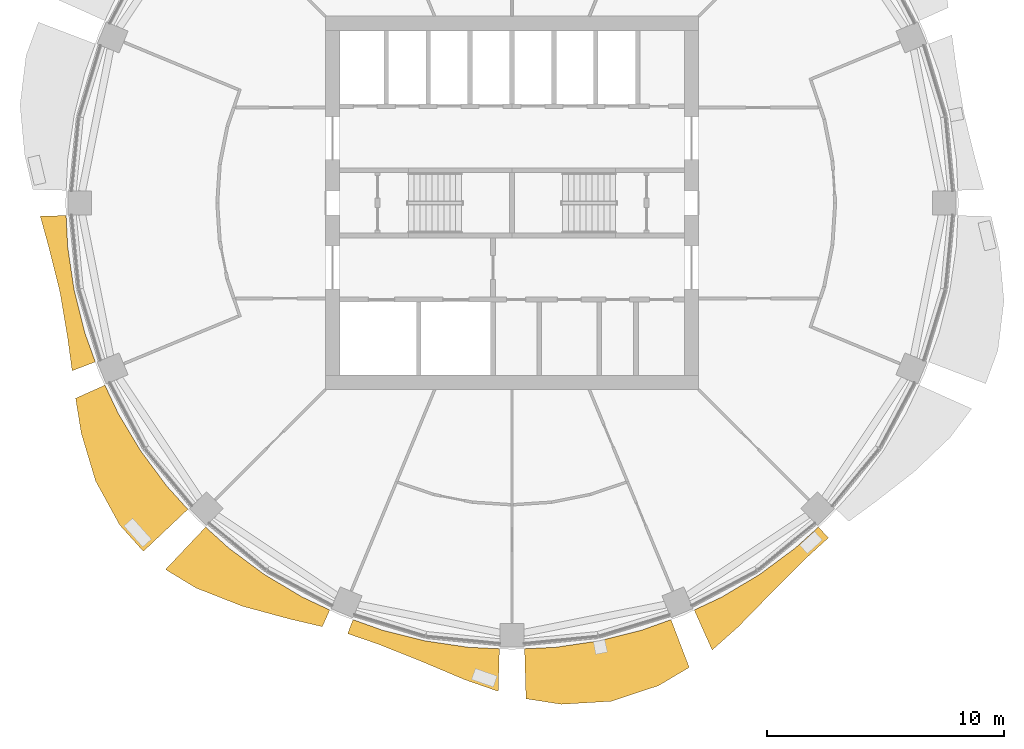
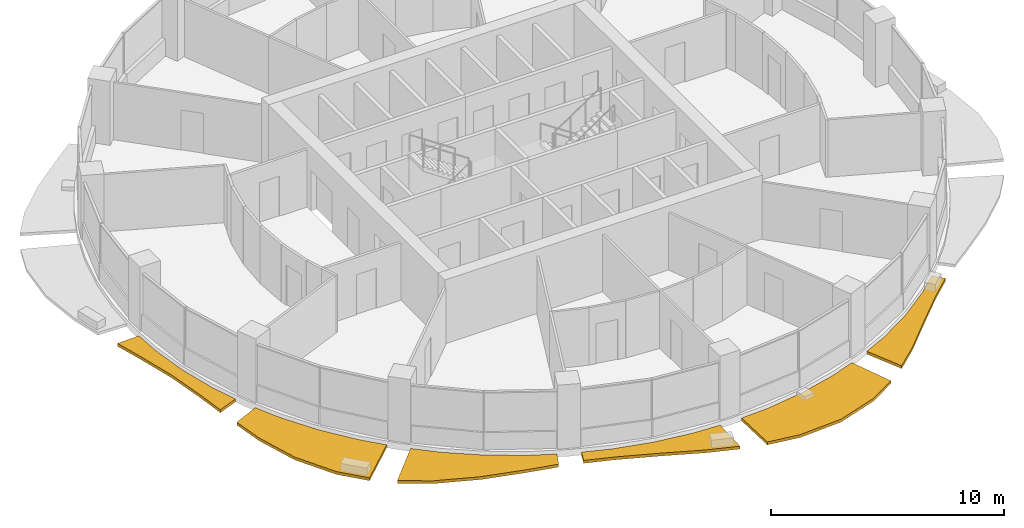
# One storey, part 12 of 15: 6 shading devices.
"""IFC4 building model written with IfcOpenShell, lengths in metres."""

import ifcopenshell
import ifcopenshell.guid

model = None  # the IFC model being written
_history = None  # IfcOwnerHistory: only IFC2X3 demands one
_inside = {}  # id of a spatial element -> (the spatial element, [elements in it])
_under = {}  # id of a project, library or spatial element -> (it, [spatial elements below it])
_declared = {}  # id of a project -> (the project, [libraries it declares])
_typed = {}  # id of a type object -> (the type object, [elements of that type])
_made_of = {}  # id of a material, layer set ... -> (it, [elements and type objects made of it])


def new_model(schema):
    """Start an empty IFC model of exactly this schema.

    Asked for "IFC4X3", IfcOpenShell would pick the latest addendum, in which some entities
    have other attributes; the version numbers below select the first issue.
    IFC2X3 requires an IfcOwnerHistory on every rooted entity: one is made here for all.
    """
    global model, _history
    if schema == "IFC4X3":
        model = ifcopenshell.file(schema_version=(4, 3, 0, 0))
    else:
        model = ifcopenshell.file(schema=schema)
    _inside.clear()
    _under.clear()
    _declared.clear()
    _typed.clear()
    _made_of.clear()
    _history = None
    if model.schema == "IFC2X3":
        org = make("IfcOrganization", Name="unknown")
        user = make(
            "IfcPersonAndOrganization",
            ThePerson=make("IfcPerson", FamilyName="unknown"),
            TheOrganization=org,
        )
        app = make(
            "IfcApplication",
            ApplicationDeveloper=org,
            Version="unknown",
            ApplicationFullName="unknown",
            ApplicationIdentifier="unknown",
        )
        _history = make(
            "IfcOwnerHistory",
            OwningUser=user,
            OwningApplication=app,
            ChangeAction="ADDED",
            CreationDate=0,
        )
    return model


def make(cls, **values):
    """One entity of the class cls with the attributes given. An attribute that is None is left unset."""
    return model.create_entity(
        cls, **{name: value for name, value in values.items() if value is not None}
    )


def rooted(cls, **values):
    """An entity with a GlobalId (a new one), such as an element, a storey or a relation."""
    return make(cls, GlobalId=ifcopenshell.guid.new(), OwnerHistory=_history, **values)


def si_unit(unit_type, name, prefix=None):
    """IfcSIUnit, for example si_unit("LENGTHUNIT", "METRE", prefix="MILLI")."""
    return make("IfcSIUnit", UnitType=unit_type, Prefix=prefix, Name=name)


def assignment(units):
    """IfcUnitAssignment: the units of a project."""
    return None if units is None else make("IfcUnitAssignment", Units=units)


def point(xyz):
    """IfcCartesianPoint."""
    return None if xyz is None else make("IfcCartesianPoint", Coordinates=xyz)


def direction(xyz):
    """IfcDirection."""
    return None if xyz is None else make("IfcDirection", DirectionRatios=xyz)


def frame(location, z_axis=None, x_axis=None):
    """IfcAxis2Placement3D, a coordinate frame: its origin and axes. An axis left out is left unset."""
    return make(
        "IfcAxis2Placement3D",
        Location=point(location),
        Axis=direction(z_axis),
        RefDirection=direction(x_axis),
    )


def origin():
    """The frame at (0, 0, 0) with its axes left unset."""
    return frame((0.0, 0.0, 0.0))


def place(relative_to, where):
    """IfcLocalPlacement: puts the frame where relative to a parent placement (None: the world)."""
    return make(
        "IfcLocalPlacement", PlacementRelTo=relative_to, RelativePlacement=where
    )


def context(
    kind, dimensions, precision=None, world=None, true_north=None, identifier=None
):
    """IfcGeometricRepresentationContext, for example the 3D "Model" context."""
    return make(
        "IfcGeometricRepresentationContext",
        ContextIdentifier=identifier,
        ContextType=kind,
        CoordinateSpaceDimension=dimensions,
        Precision=precision,
        WorldCoordinateSystem=world,
        TrueNorth=true_north,
    )


def subcontext(parent, identifier, kind, view, scale=None):
    """IfcGeometricRepresentationSubContext, for example "Body" below "Model"."""
    return make(
        "IfcGeometricRepresentationSubContext",
        ContextIdentifier=identifier,
        ContextType=kind,
        ParentContext=parent,
        TargetScale=scale,
        TargetView=view,
    )


def project(units=None, contexts=None):
    """IfcProject with its units and contexts."""
    return rooted(
        "IfcProject",
        Name="project",
        RepresentationContexts=contexts,
        UnitsInContext=assignment(units),
    )


def spatial(cls, under=None, at=None, **own):
    """A site, building, storey or space (cls), placed at a placement, below another one or the project."""
    s = rooted(cls, ObjectPlacement=at, **own)
    if under is not None:
        _under.setdefault(under.id(), (under, []))[1].append(s)
    return s


def polyline(points):
    """IfcPolyline through the points."""
    return make("IfcPolyline", Points=[point(p) for p in points])


def outline(outer, holes=None, kind="AREA"):
    """IfcArbitraryClosedProfileDef: a profile drawn as a closed curve; with holes, ...WithVoids."""
    if holes is None:
        return make("IfcArbitraryClosedProfileDef", ProfileType=kind, OuterCurve=outer)
    return make(
        "IfcArbitraryProfileDefWithVoids",
        ProfileType=kind,
        OuterCurve=outer,
        InnerCurves=holes,
    )


def extrude(swept, where, along, depth):
    """IfcExtrudedAreaSolid: the profile swept, set in the frame where, extruded along a direction by depth."""
    return make(
        "IfcExtrudedAreaSolid",
        SweptArea=swept,
        Position=where,
        ExtrudedDirection=direction(along),
        Depth=depth,
    )


def shape(context_of_items, identifier, shape_type, items):
    """IfcShapeRepresentation: the items that make up one representation, for example the "Body"."""
    return make(
        "IfcShapeRepresentation",
        ContextOfItems=context_of_items,
        RepresentationIdentifier=identifier,
        RepresentationType=shape_type,
        Items=items,
    )


def material(Name=None, Category=None):
    """IfcMaterial."""
    return make("IfcMaterial", Name=Name, Category=Category)


def made_of(thing, what):
    """Note that an element or type object is made of a material, layer set ...; save() writes the relation."""
    if what is not None:
        _made_of.setdefault(what.id(), (what, []))[1].append(thing)
    return thing


def type_object(cls, material=None, **own):
    """A type object (cls), such as IfcWallType, which elements share."""
    return made_of(rooted(cls, **own), material)


def element(
    cls,
    number,
    at=None,
    inside=None,
    cuts=None,
    type_object=None,
    material=None,
    context=None,
    identifier="Body",
    shape_type=None,
    held_by="IfcProductDefinitionShape",
    body=None,
    shapes=None,
    **own,
):
    """One element of the class cls, such as IfcWall. Its Tag is "e" and its number.

    at: its placement. inside: the storey or other place that contains it. cuts: it is an
    opening in that element (IfcRelVoidsElement). A single representation is given by context,
    identifier, shape_type and body (its items); several are given by shapes. held_by: the class
    of the entity that holds the representations. save() writes the other relations.
    """
    e = rooted(cls, Tag="e%d" % number, ObjectPlacement=at, **own)
    if body is not None:
        shapes = [shape(context, identifier, shape_type, body)]
    if shapes is not None:
        e.Representation = make(held_by, Representations=shapes)
    if inside is not None:
        _inside.setdefault(inside.id(), (inside, []))[1].append(e)
    if cuts is not None:
        rooted(
            "IfcRelVoidsElement", RelatingBuildingElement=cuts, RelatedOpeningElement=e
        )
    if type_object is not None:
        _typed.setdefault(type_object.id(), (type_object, []))[1].append(e)
    return made_of(e, material)


def aggregate(whole, parts):
    """IfcRelAggregates: a whole, such as a stair, and the parts it consists of."""
    return rooted("IfcRelAggregates", RelatingObject=whole, RelatedObjects=parts)


def save(model, path):
    """Write the relations noted so far, then the file.

    IfcRelAggregates (storeys below a building ...), IfcRelContainedInSpatialStructure (elements
    in a storey), IfcRelDefinesByType, IfcRelAssociatesMaterial and IfcRelDeclares: one each for
    every whole, place, type object, material and project.
    """
    for whole, parts in _under.values():
        aggregate(whole, parts)
    for where, things in _inside.values():
        rooted(
            "IfcRelContainedInSpatialStructure",
            RelatedElements=things,
            RelatingStructure=where,
        )
    for kind, things in _typed.values():
        rooted("IfcRelDefinesByType", RelatedObjects=things, RelatingType=kind)
    for what, things in _made_of.values():
        rooted("IfcRelAssociatesMaterial", RelatedObjects=things, RelatingMaterial=what)
    for by, libraries in _declared.values():
        rooted("IfcRelDeclares", RelatingContext=by, RelatedDefinitions=libraries)
    model.write(path)


model = new_model("IFC4")

# Units and contexts
model_context = context("Model", 3, precision=1e-05, world=origin(), true_north=direction((0.0, 1.0)))
body_context = subcontext(model_context, "Body", "Model", "MODEL_VIEW")
ifc_project = project(units=[si_unit("LENGTHUNIT", "METRE"), si_unit("AREAUNIT", "SQUARE_METRE"), si_unit("VOLUMEUNIT", "CUBIC_METRE"), si_unit("PLANEANGLEUNIT", "RADIAN"), si_unit("MASSUNIT", "GRAM", prefix="KILO")], contexts=[model_context])

# Site, building, storey
site_placement = place(None, origin())
site = spatial("IfcSite", under=ifc_project, at=site_placement, CompositionType="ELEMENT")
building_placement = place(site_placement, origin())
building = spatial("IfcBuilding", under=site, at=building_placement, Name="Polderwave Tower", CompositionType="ELEMENT")
storey_placement = place(building_placement, frame((0.0, 0.0, 157.800048828125)))
storey = spatial("IfcBuildingStorey", under=building, at=storey_placement, Name="L42", CompositionType="ELEMENT", Elevation=157.800048828125)

# Shading devices
ifc_material = material(Name="Terracotta", Category="masonry")
shading_device_type = type_object("IfcShadingDeviceType", Name="Terracotta sunshade band", PredefinedType="USERDEFINED", material=ifc_material)
shading_device_1_placement = place(storey_placement, frame((0.0, 0.0, -0.35009765625)))
element("IfcShadingDevice", 1, at=shading_device_1_placement, inside=storey, type_object=shading_device_type, Name="Sunshade band L42 9", ObjectType="SUNSHADE", PredefinedType="USERDEFINED", context=body_context, shape_type="SweptSolid", body=[
    extrude(outline(polyline([(-18.803955078125, -0.5302734375), (-18.7392578125, -1.845703125), (-18.46826171875, -3.673583984375), (-18.019287109375, -5.466064453125), (-17.575439453125, -6.7060546875), (-18.551513671875, -7.078369140625), (-18.740478515625, -5.684814453125), (-19.056884765625, -3.790771484375), (-19.519287109375, -1.922607421875), (-19.893798828125, -0.56103515625), (-18.803955078125, -0.5302734375)])), origin(), (0.0, 0.0, 1.0), 0.150146484375),
])
shading_device_2_placement = place(storey_placement, frame((0.0, 0.0, -0.35009765625)))
element("IfcShadingDevice", 2, at=shading_device_2_placement, inside=storey, type_object=shading_device_type, Name="Sunshade band L42 10", ObjectType="SUNSHADE", PredefinedType="USERDEFINED", context=body_context, shape_type="SweptSolid", body=[
    extrude(outline(polyline([(-17.169677734375, -7.685791015625), (-16.606689453125, -8.87646484375), (-15.656494140625, -10.46142578125), (-14.555908203125, -11.945556640625), (-13.67138671875, -12.92138671875), (-15.546875, -14.694091796875), (-16.54638671875, -13.579345703125), (-17.558837890625, -11.732421875), (-18.166259765625, -9.710205078125), (-18.40380859375, -8.23828125), (-17.169677734375, -7.685791015625)])), origin(), (0.0, 0.0, 1.0), 0.150146484375),
])
shading_device_3_placement = place(storey_placement, frame((0.0, 0.0, -0.35009765625)))
element("IfcShadingDevice", 3, at=shading_device_3_placement, inside=storey, type_object=shading_device_type, Name="Sunshade band L42 11", ObjectType="SUNSHADE", PredefinedType="USERDEFINED", context=body_context, shape_type="SweptSolid", body=[
    extrude(outline(polyline([(-12.92138671875, -13.67138671875), (-11.945556640625, -14.555908203125), (-10.46142578125, -15.656494140625), (-8.87646484375, -16.606689453125), (-7.685791015625, -17.169677734375), (-7.999755859375, -17.87109375), (-9.37939453125, -17.547607421875), (-11.365234375, -17.00927734375), (-13.3271484375, -16.2392578125), (-14.611328125, -15.45947265625), (-12.92138671875, -13.67138671875)])), origin(), (0.0, 0.0, 1.0), 0.150146484375),
])
shading_device_4_placement = place(storey_placement, frame((0.0, 0.0, -0.35009765625)))
element("IfcShadingDevice", 4, at=shading_device_4_placement, inside=storey, type_object=shading_device_type, Name="Sunshade band L42 12", ObjectType="SUNSHADE", PredefinedType="USERDEFINED", context=body_context, shape_type="SweptSolid", body=[
    extrude(outline(polyline([(-6.7060546875, -17.575439453125), (-5.466064453125, -18.019287109375), (-3.673583984375, -18.46826171875), (-1.845703125, -18.7392578125), (-0.5302734375, -18.803955078125), (-0.580810546875, -20.598388671875), (-1.980712890625, -20.111083984375), (-3.843994140625, -19.325439453125), (-5.644287109375, -18.60693359375), (-6.93115234375, -18.165283203125), (-6.7060546875, -17.575439453125)])), origin(), (0.0, 0.0, 1.0), 0.150146484375),
])
shading_device_5_placement = place(storey_placement, frame((0.0, 0.0, -0.35009765625)))
element("IfcShadingDevice", 5, at=shading_device_5_placement, inside=storey, type_object=shading_device_type, Name="Sunshade band L42 13", ObjectType="SUNSHADE", PredefinedType="USERDEFINED", context=body_context, shape_type="SweptSolid", body=[
    extrude(outline(polyline([(0.5302734375, -18.803955078125), (1.845703125, -18.7392578125), (3.673583984375, -18.46826171875), (5.466064453125, -18.019287109375), (6.7060546875, -17.575439453125), (7.474365234375, -19.58935546875), (6.176025390625, -20.360107421875), (4.1806640625, -21.017822265625), (2.08251953125, -21.143798828125), (0.58984375, -20.912841796875), (0.5302734375, -18.803955078125)])), origin(), (0.0, 0.0, 1.0), 0.150146484375),
])
shading_device_6_placement = place(storey_placement, frame((0.0, 0.0, -0.35009765625)))
element("IfcShadingDevice", 6, at=shading_device_6_placement, inside=storey, type_object=shading_device_type, Name="Sunshade band L42 14", ObjectType="SUNSHADE", PredefinedType="USERDEFINED", context=body_context, shape_type="SweptSolid", body=[
    extrude(outline(polyline([(7.685791015625, -17.169677734375), (8.87646484375, -16.606689453125), (10.46142578125, -15.656494140625), (11.945556640625, -14.555908203125), (12.92138671875, -13.67138671875), (13.3466796875, -14.121337890625), (12.342041015625, -15.038818359375), (10.96826171875, -16.4150390625), (9.55126953125, -17.868896484375), (8.44091796875, -18.856201171875), (7.685791015625, -17.169677734375)])), origin(), (0.0, 0.0, 1.0), 0.150146484375),
])

save(model, "model.ifc")
